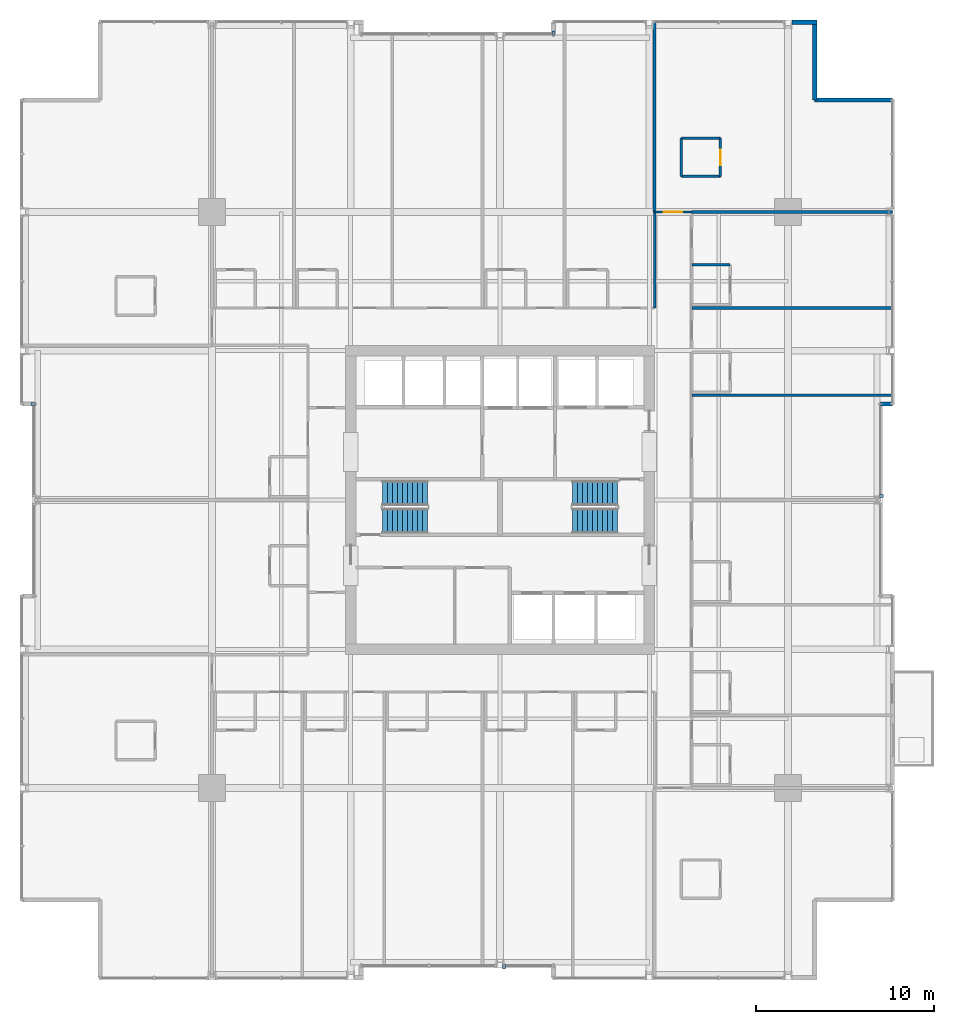
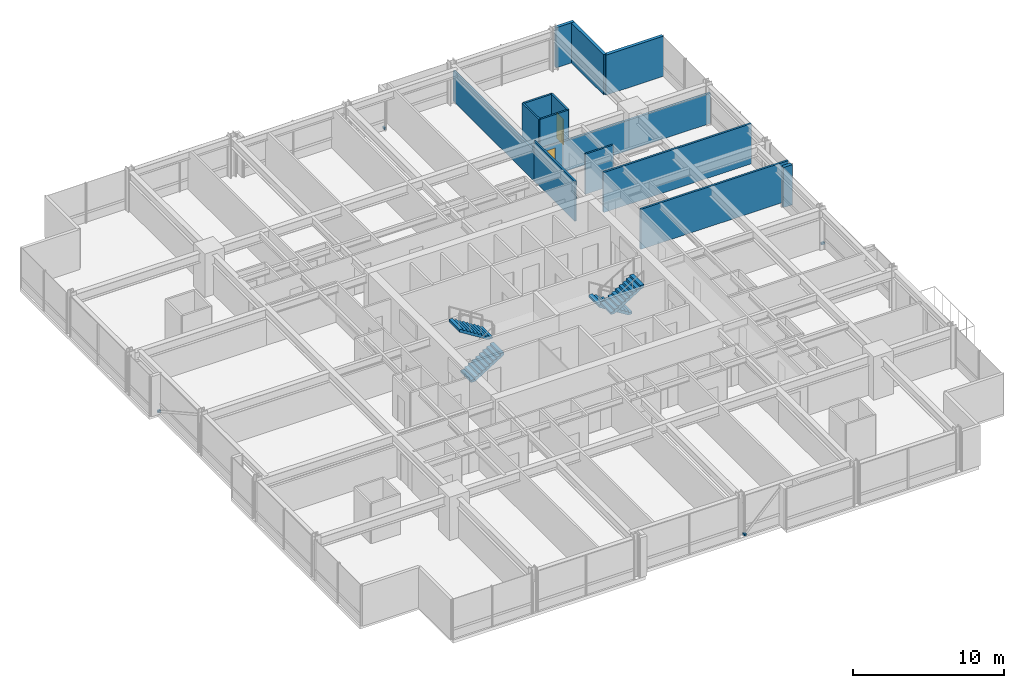
# One storey, part 32 of 35: 15 walls, 4 discrete accessories, 4 stair flights, 2 doors, 2 openings, 2 elements without a shape of their own.
"""IFC4 building model written with IfcOpenShell, lengths in metres."""

from ifc_helpers import new_model, si_unit, direction, frame, frame_2d, origin, origin_2d, place, context, subcontext, project, spatial, polyline, rectangle, outline, extrude, material, layer, layer_set, type_object, element, fill, aggregate, save


model = new_model("IFC4")

# Units and contexts
model_context = context("Model", 3, precision=1e-05, world=origin(), true_north=direction((0.0, 1.0)))
body_context = subcontext(model_context, "Body", "Model", "MODEL_VIEW")
ifc_project = project(units=[si_unit("LENGTHUNIT", "METRE"), si_unit("AREAUNIT", "SQUARE_METRE"), si_unit("VOLUMEUNIT", "CUBIC_METRE"), si_unit("PLANEANGLEUNIT", "RADIAN"), si_unit("MASSUNIT", "GRAM", prefix="KILO")], contexts=[model_context])

# Site, building, storey
site_placement = place(None, origin())
site = spatial("IfcSite", under=ifc_project, at=site_placement, CompositionType="ELEMENT")
building_placement = place(site_placement, origin())
building = spatial("IfcBuilding", under=site, at=building_placement, Name="Drelvath Grand Hotel", CompositionType="ELEMENT")
storey_placement = place(building_placement, frame((0.0, 0.0, 95.300048828125)))
storey = spatial("IfcBuildingStorey", under=building, at=storey_placement, Name="L23", CompositionType="ELEMENT", Elevation=95.300048828125)

# Wall
ifc_material_1 = material(Name="Gypsum Fireboard Partition")
ifc_layer_1 = layer(ifc_material_1, 0.135009765625)
ifc_layer_set_1 = layer_set([ifc_layer_1], Name="Gypsum Fireboard Partition")
wall_type_1 = type_object("IfcWallType", Name="Corridor Fire Barrier Wall 135", PredefinedType="PARTITIONING", material=ifc_layer_set_1)
wall_1_placement = place(storey_placement, frame((8.699951171875, 37.800048828125, 0.0), z_axis=(0.0, 0.0, 1.0), x_axis=(0.0, 1.0, 0.0)))
element("IfcWall", 1, at=wall_1_placement, inside=storey, type_object=wall_type_1, Name="L23 East Spine North Inner Wall", PredefinedType="PARTITIONING", context=body_context, shape_type="SweptSolid", body=[
    extrude(rectangle(XDim=5.39990234375, YDim=0.135009765625, at=frame_2d((2.699951171875, 0.0))), origin(), (0.0, 0.0, 1.0), 3.239990234375),
])

# Wall, opening, door
wall_2_placement = place(storey_placement, frame((8.699951171875, 43.199951171875, 0.0), z_axis=(0.0, 0.0, 1.0), x_axis=(1.0, 0.0, 0.0)))
wall_2 = element("IfcWall", 2, at=wall_2_placement, inside=storey, type_object=wall_type_1, Name="L23 East Spine North End", PredefinedType="PARTITIONING", context=body_context, shape_type="SweptSolid", body=[
    extrude(rectangle(XDim=2.10009765625, YDim=0.135009765625, at=frame_2d((1.050048828125, 0.0))), origin(), (0.0, 0.0, 1.0), 2.45166015625),
])
opening_1_placement = place(wall_2_placement, frame((0.52001953125, 0.0, 0.0)))
opening_1 = element("IfcOpeningElement", 3, at=opening_1_placement, cuts=wall_2, Name="Opening D-T2G1-026", PredefinedType="OPENING", context=body_context, shape_type="SweptSolid", body=[
    extrude(rectangle(XDim=1.02001953125, YDim=2.14990234375, at=frame_2d((0.510009765625, 1.074951171875))), frame((0.0, 0.077392578125, 0.0), z_axis=(0.0, -1.0, 0.0), x_axis=(1.0, 0.0, 0.0)), (0.0, 0.0, 1.0), 0.155029296875),
])
ifc_material_2 = material(Name="Hardwood Walnut Timber", Category="wood")
door_type_1 = type_object("IfcDoorType", Name="Amenity Meeting Fire Door 1020x2150", OperationType="NOTDEFINED", PredefinedType="DOOR", material=ifc_material_2)
door_1_placement = place(opening_1_placement, origin())
door_1 = element("IfcDoor", 4, at=door_1_placement, inside=storey, type_object=door_type_1, Name="L23 Corner Suite Entry Door", OperationType="SINGLE_SWING_LEFT", OverallHeight=2.14990234375, OverallWidth=1.02001953125, PredefinedType="DOOR", context=body_context, shape_type="SweptSolid", body=[
    extrude(rectangle(XDim=1.02001953125, YDim=2.14990234375, at=frame_2d((0.510009765625, 1.074951171875))), frame((0.0, 0.02490234375, 0.0), z_axis=(0.0, -1.0, 0.0), x_axis=(1.0, 0.0, 0.0)), (0.0, 0.0, 1.0), 0.050048828125),
])
fill(opening_1, door_1)

# Walls
ifc_material_3 = material(Name="Moisture-Resistant Gypsum Board")
ifc_layer_2 = layer(ifc_material_3, 0.139892578125)
ifc_layer_set_2 = layer_set([ifc_layer_2], Name="Moisture-Resistant Gypsum Board")
wall_type_2 = type_object("IfcWallType", Name="En-Suite Plumbing Wall 140", PredefinedType="PLUMBINGWALL", material=ifc_layer_set_2)
for number, where, z_axis, x_axis, name in (
    (5, (10.199951171875, 45.199951171875, 0.0), (0.0, 0.0, 1.0), (1.0, 0.0, 0.0), "L23 Corner En-Suite South"),
    (6, (10.199951171875, 47.35009765625, 0.0), (0.0, 0.0, 1.0), (1.0, 0.0, 0.0), "L23 Corner En-Suite North"),
):
    element("IfcWall", number, at=place(storey_placement, frame(where, z_axis=z_axis, x_axis=x_axis)), inside=storey, type_object=wall_type_2, Name=name, PredefinedType="PLUMBINGWALL", context=body_context, shape_type="SweptSolid", body=[
        extrude(rectangle(XDim=2.199951171875, YDim=0.139892578125, at=frame_2d((1.10009765625, 0.0))), origin(), (0.0, 0.0, 1.0), 3.239990234375),
    ])
wall_3_placement = place(storey_placement, frame((10.199951171875, 45.199951171875, 0.0), z_axis=(0.0, 0.0, 1.0), x_axis=(0.0, 1.0, 0.0)))
element("IfcWall", 7, at=wall_3_placement, inside=storey, type_object=wall_type_2, Name="L23 Corner En-Suite West", PredefinedType="PLUMBINGWALL", context=body_context, shape_type="SweptSolid", body=[
    extrude(rectangle(XDim=2.150146484375, YDim=0.139892578125, at=frame_2d((1.0751953125, 0.0))), origin(), (0.0, 0.0, 1.0), 3.239990234375),
])

# Wall, opening, door
wall_4_placement = place(storey_placement, frame((12.39990234375, 45.199951171875, 0.0), z_axis=(0.0, 0.0, 1.0), x_axis=(0.0, 1.0, 0.0)))
wall_4 = element("IfcWall", 8, at=wall_4_placement, inside=storey, type_object=wall_type_2, Name="L23 Corner En-Suite East", PredefinedType="PLUMBINGWALL", context=body_context, shape_type="SweptSolid", body=[
    extrude(rectangle(XDim=2.150146484375, YDim=0.139892578125, at=frame_2d((1.0751953125, 0.0))), origin(), (0.0, 0.0, 1.0), 3.239990234375),
])
opening_2_placement = place(wall_4_placement, frame((0.6201171875, 0.0, 0.0)))
opening_2 = element("IfcOpeningElement", 9, at=opening_2_placement, cuts=wall_4, Name="Opening D-T2G1-025", PredefinedType="OPENING", context=body_context, shape_type="SweptSolid", body=[
    extrude(rectangle(XDim=0.8798828125, YDim=2.10009765625, at=frame_2d((0.43994140625, 1.050048828125))), frame((0.0, 0.079833984375, 0.0), z_axis=(0.0, -1.0, 0.0), x_axis=(1.0, 0.0, 0.0)), (0.0, 0.0, 1.0), 0.159912109375),
])
door_type_2 = type_object("IfcDoorType", Name="En-Suite Bathroom Door 880x2100", OperationType="NOTDEFINED", PredefinedType="DOOR", material=ifc_material_2)
door_2_placement = place(opening_2_placement, origin())
door_2 = element("IfcDoor", 10, at=door_2_placement, inside=storey, type_object=door_type_2, Name="L23 Corner En-Suite Door", OperationType="SINGLE_SWING_RIGHT", OverallHeight=2.10009765625, OverallWidth=0.8798828125, PredefinedType="DOOR", context=body_context, shape_type="SweptSolid", body=[
    extrude(rectangle(XDim=0.8798828125, YDim=2.10009765625, at=frame_2d((0.43994140625, 1.050048828125))), frame((0.0, 0.02490234375, 0.0), z_axis=(0.0, -1.0, 0.0), x_axis=(1.0, 0.0, 0.0)), (0.0, 0.0, 1.0), 0.050048828125),
])
fill(opening_2, door_2)

# Walls
wall_5_placement = place(storey_placement, frame((10.800048828125, 40.22998046875, 0.0), z_axis=(0.0, 0.0, 1.0), x_axis=(1.0, 0.0, 0.0)))
element("IfcWall", 11, at=wall_5_placement, inside=storey, type_object=wall_type_2, Name="L23 En-Suite Right Wall", PredefinedType="PLUMBINGWALL", context=body_context, shape_type="SweptSolid", body=[
    extrude(rectangle(XDim=2.14990234375, YDim=0.139892578125, at=frame_2d((1.074951171875, 0.0))), origin(), (0.0, 0.0, 1.0), 3.239990234375),
])
ifc_material_4 = material(Name="Gypsum Acoustic Partition")
ifc_layer_3 = layer(ifc_material_4, 0.14990234375)
ifc_layer_set_3 = layer_set([ifc_layer_3], Name="Gypsum Acoustic Partition")
wall_type_3 = type_object("IfcWallType", Name="Guestroom Demising Wall 150", PredefinedType="PARTITIONING", material=ifc_layer_set_3)
for number, where, z_axis, x_axis, name in (
    (12, (10.800048828125, 32.890869140625, 0.0), (0.0, 0.0, 1.0), (1.0, 0.0, 0.0), "L23 East Demising 4"),
    (13, (10.800048828125, 37.800048828125, 0.0), (0.0, 0.0, 1.0), (1.0, 0.0, 0.0), "L23 East Demising 5"),
):
    element("IfcWall", number, at=place(storey_placement, frame(where, z_axis=z_axis, x_axis=x_axis)), inside=storey, type_object=wall_type_3, Name=name, PredefinedType="PARTITIONING", context=body_context, shape_type="SweptSolid", body=[
        extrude(rectangle(XDim=11.280029296875, YDim=0.14990234375, at=frame_2d((5.64013671875, 0.0))), origin(), (0.0, 0.0, 1.0), 3.239990234375),
    ])
ifc_layer_4 = layer(ifc_material_4, 0.1650390625)
ifc_layer_set_4 = layer_set([ifc_layer_4], Name="Gypsum Acoustic Partition")
wall_type_4 = type_object("IfcWallType", Name="Suite Demising Wall 165", PredefinedType="PARTITIONING", material=ifc_layer_set_4)
wall_6_placement = place(storey_placement, frame((8.699951171875, 43.199951171875, 0.0), z_axis=(0.0, 0.0, 1.0), x_axis=(0.0, 1.0, 0.0)))
element("IfcWall", 14, at=wall_6_placement, inside=storey, type_object=wall_type_4, Name="L23 NE Suite West Wall", PredefinedType="PARTITIONING", context=body_context, shape_type="SweptSolid", body=[
    extrude(rectangle(XDim=10.679931640625, YDim=0.1650390625, at=frame_2d((5.33984375, 0.0))), origin(), (0.0, 0.0, 1.0), 2.45166015625),
])
wall_7_placement = place(storey_placement, frame((10.800048828125, 43.199951171875, 0.0), z_axis=(0.0, 0.0, 1.0), x_axis=(1.0, 0.0, 0.0)))
element("IfcWall", 15, at=wall_7_placement, inside=storey, type_object=wall_type_4, Name="L23 NE Suite South Wall", PredefinedType="PARTITIONING", context=body_context, shape_type="SweptSolid", body=[
    extrude(rectangle(XDim=11.280029296875, YDim=0.1650390625, at=frame_2d((5.64013671875, 0.0))), origin(), (0.0, 0.0, 1.0), 2.45166015625),
])
ifc_material_5 = material(Name="Pale-Metal Insulated Aluminium Spandrel Assembly", Category="aluminium")
ifc_layer_5 = layer(ifc_material_5, 0.239990234375)
ifc_layer_set_5 = layer_set([ifc_layer_5], Name="Pale-Metal Insulated Aluminium Spandrel Assembly")
wall_type_5 = type_object("IfcWallType", Name="Tower Insulated Metal Spandrel Closure Wall 240", PredefinedType="STANDARD", material=ifc_layer_set_5)
wall_8_placement = place(storey_placement, frame((16.419677734375, 53.8798828125, 0.0), z_axis=(0.0, 0.0, 1.0), x_axis=(1.0, 0.0, 0.0)))
element("IfcWall", 16, at=wall_8_placement, inside=storey, type_object=wall_type_5, Name="L23 Corner Pier Spandrel Wall NE3", PredefinedType="STANDARD", context=body_context, shape_type="SweptSolid", body=[
    extrude(rectangle(XDim=1.400390625, YDim=0.239990234375, at=frame_2d((0.7001953125, 0.0))), origin(), (0.0, 0.0, 1.0), 3.239990234375),
])
wall_9_placement = place(storey_placement, frame((17.699951171875, 53.760009765625, 0.0), z_axis=(0.0, 0.0, 1.0), x_axis=(0.0, -1.0, 0.0)))
element("IfcWall", 17, at=wall_9_placement, inside=storey, type_object=wall_type_5, Name="L23 Notched Corner Return Spandrel Wall CNE1", PredefinedType="STANDARD", context=body_context, shape_type="SweptSolid", body=[
    extrude(rectangle(XDim=4.260009765625, YDim=0.239990234375, at=frame_2d((2.1298828125, 0.0))), origin(), (0.0, 0.0, 1.0), 3.239990234375),
])
wall_10_placement = place(storey_placement, frame((17.699951171875, 49.5, 0.0), z_axis=(0.0, 0.0, 1.0), x_axis=(1.0, 0.0, 0.0)))
element("IfcWall", 18, at=wall_10_placement, inside=storey, type_object=wall_type_5, Name="L23 Notched Corner Return Spandrel Wall CNE2", PredefinedType="STANDARD", context=body_context, shape_type="SweptSolid", body=[
    extrude(rectangle(XDim=4.380126953125, YDim=0.239990234375, at=frame_2d((2.18994140625, 0.0))), origin(), (0.0, 0.0, 1.0), 3.239990234375),
])
wall_11_placement = place(storey_placement, frame((22.080078125, 32.39990234375, 0.0), z_axis=(0.0, 0.0, 1.0), x_axis=(-1.0, 0.0, 0.0)))
element("IfcWall", 19, at=wall_11_placement, inside=storey, type_object=wall_type_5, Name="L23 Notched Corner Return Spandrel Wall RE1", PredefinedType="STANDARD", context=body_context, shape_type="SweptSolid", body=[
    extrude(rectangle(XDim=0.68017578125, YDim=0.239990234375, at=frame_2d((0.340087890625, 0.0))), origin(), (0.0, 0.0, 1.0), 3.239990234375),
])

# Stair, stair flights
ifc_material_6 = material(Name="Concrete C40/50", Category="concrete")
stair_type = type_object("IfcStairType", Name="Dogleg Exit Stair W1400-R175.0", PredefinedType="HALF_TURN_STAIR", material=ifc_material_6)
stair_1_placement = place(storey_placement, origin())
stair_1 = element("IfcStair", 20, at=stair_1_placement, inside=storey, type_object=stair_type, Name="L23 Core Exit Stair ST-1", PredefinedType="HALF_TURN_STAIR")
stair_flight_type = type_object("IfcStairFlightType", Name="Concrete Stair Flight W1400-R175.0", PredefinedType="STRAIGHT", material=ifc_material_6)
stair_flight_1_placement = place(storey_placement, frame((-6.60009765625, 25.820068359375, 0.0), z_axis=(0.0, 0.0, 1.0), x_axis=(1.0, 0.0, 0.0)))
stair_flight_1 = element("IfcStairFlight", 21, at=stair_flight_1_placement, type_object=stair_flight_type, Name="ST-1 flight 1", NumberOfRisers=10, NumberOfTreads=9, PredefinedType="STRAIGHT", RiserHeight=0.175, TreadLength=0.28, context=body_context, shape_type="SweptSolid", body=[
    extrude(outline(polyline([(0.0, 0.0), (0.0, 0.175048828125), (0.280029296875, 0.175048828125), (0.280029296875, 0.35009765625), (0.56005859375, 0.35009765625), (0.56005859375, 0.52490234375), (0.840087890625, 0.52490234375), (0.840087890625, 0.699951171875), (1.1201171875, 0.699951171875), (1.1201171875, 0.875), (1.39990234375, 0.875), (1.39990234375, 1.050048828125), (1.679931640625, 1.050048828125), (1.679931640625, 1.22509765625), (1.9599609375, 1.22509765625), (1.9599609375, 1.39990234375), (2.239990234375, 1.39990234375), (2.239990234375, 1.574951171875), (2.52001953125, 1.574951171875), (2.52001953125, 1.75), (2.52001953125, 1.386474609375), (0.3017578125, 0.0), (0.0, 0.0)])), frame((0.0, 0.699951171875, 0.0), z_axis=(0.0, -1.0, 0.0), x_axis=(1.0, 0.0, 0.0)), (0.0, 0.0, 1.0), 1.39990234375),
])
stair_flight_2_placement = place(storey_placement, frame((-4.080078125, 27.3798828125, 1.75), z_axis=(0.0, 0.0, 1.0), x_axis=(-1.0, 0.0, 0.0)))
stair_flight_2 = element("IfcStairFlight", 22, at=stair_flight_2_placement, type_object=stair_flight_type, Name="ST-1 flight 2", NumberOfRisers=10, NumberOfTreads=9, PredefinedType="STRAIGHT", RiserHeight=0.175, TreadLength=0.28, context=body_context, shape_type="SweptSolid", body=[
    extrude(outline(polyline([(0.0, 0.0), (0.0, 0.175048828125), (0.280029296875, 0.175048828125), (0.280029296875, 0.35009765625), (0.56005859375, 0.35009765625), (0.56005859375, 0.52490234375), (0.840087890625, 0.52490234375), (0.840087890625, 0.699951171875), (1.1201171875, 0.699951171875), (1.1201171875, 0.875), (1.39990234375, 0.875), (1.39990234375, 1.050048828125), (1.679931640625, 1.050048828125), (1.679931640625, 1.22509765625), (1.9599609375, 1.22509765625), (1.9599609375, 1.39990234375), (2.239990234375, 1.39990234375), (2.239990234375, 1.574951171875), (2.52001953125, 1.574951171875), (2.52001953125, 1.75), (2.52001953125, 1.386474609375), (0.3017578125, 0.0), (0.0, 0.0)])), frame((0.0, 0.699951171875, 0.0), z_axis=(0.0, -1.0, 0.0), x_axis=(1.0, 0.0, 0.0)), (0.0, 0.0, 1.0), 1.39990234375),
])
aggregate(stair_1, [stair_flight_1, stair_flight_2])

stair_2_placement = place(storey_placement, origin())
stair_2 = element("IfcStair", 23, at=stair_2_placement, inside=storey, type_object=stair_type, Name="L23 Core Exit Stair ST-2", PredefinedType="HALF_TURN_STAIR")
stair_flight_3_placement = place(storey_placement, frame((6.60009765625, 27.3798828125, 0.0), z_axis=(0.0, 0.0, 1.0), x_axis=(-1.0, 0.0, 0.0)))
stair_flight_3 = element("IfcStairFlight", 24, at=stair_flight_3_placement, type_object=stair_flight_type, Name="ST-2 flight 1", NumberOfRisers=10, NumberOfTreads=9, PredefinedType="STRAIGHT", RiserHeight=0.175, TreadLength=0.28, context=body_context, shape_type="SweptSolid", body=[
    extrude(outline(polyline([(0.0, 0.0), (0.0, 0.175048828125), (0.280029296875, 0.175048828125), (0.280029296875, 0.35009765625), (0.56005859375, 0.35009765625), (0.56005859375, 0.52490234375), (0.840087890625, 0.52490234375), (0.840087890625, 0.699951171875), (1.1201171875, 0.699951171875), (1.1201171875, 0.875), (1.39990234375, 0.875), (1.39990234375, 1.050048828125), (1.679931640625, 1.050048828125), (1.679931640625, 1.22509765625), (1.9599609375, 1.22509765625), (1.9599609375, 1.39990234375), (2.239990234375, 1.39990234375), (2.239990234375, 1.574951171875), (2.52001953125, 1.574951171875), (2.52001953125, 1.75), (2.52001953125, 1.386474609375), (0.3017578125, 0.0), (0.0, 0.0)])), frame((0.0, 0.699951171875, 0.0), z_axis=(0.0, -1.0, 0.0), x_axis=(1.0, 0.0, 0.0)), (0.0, 0.0, 1.0), 1.39990234375),
])
stair_flight_4_placement = place(storey_placement, frame((4.080078125, 25.820068359375, 1.75), z_axis=(0.0, 0.0, 1.0), x_axis=(1.0, 0.0, 0.0)))
stair_flight_4 = element("IfcStairFlight", 25, at=stair_flight_4_placement, type_object=stair_flight_type, Name="ST-2 flight 2", NumberOfRisers=10, NumberOfTreads=9, PredefinedType="STRAIGHT", RiserHeight=0.175, TreadLength=0.28, context=body_context, shape_type="SweptSolid", body=[
    extrude(outline(polyline([(0.0, 0.0), (0.0, 0.175048828125), (0.280029296875, 0.175048828125), (0.280029296875, 0.35009765625), (0.56005859375, 0.35009765625), (0.56005859375, 0.52490234375), (0.840087890625, 0.52490234375), (0.840087890625, 0.699951171875), (1.1201171875, 0.699951171875), (1.1201171875, 0.875), (1.39990234375, 0.875), (1.39990234375, 1.050048828125), (1.679931640625, 1.050048828125), (1.679931640625, 1.22509765625), (1.9599609375, 1.22509765625), (1.9599609375, 1.39990234375), (2.239990234375, 1.39990234375), (2.239990234375, 1.574951171875), (2.52001953125, 1.574951171875), (2.52001953125, 1.75), (2.52001953125, 1.386474609375), (0.3017578125, 0.0), (0.0, 0.0)])), frame((0.0, 0.699951171875, 0.0), z_axis=(0.0, -1.0, 0.0), x_axis=(1.0, 0.0, 0.0)), (0.0, 0.0, 1.0), 1.39990234375),
])
aggregate(stair_2, [stair_flight_3, stair_flight_4])

# Discrete accessories
ifc_material_7 = material(Name="Stainless Steel Grade 316", Category="steel")
discrete_accessory_type = type_object("IfcDiscreteAccessoryType", Name="Curtain Wall Fin Mounting Bracket Cleat", PredefinedType="BRACKET", material=ifc_material_7)
for number, where, z_axis, x_axis, name in (
    (26, (-26.260009765625, 32.39990234375, 0.10009765625), (0.0, 0.0, 1.0), (0.0, 1.0, 0.0), "L23 Fin Mounting Bracket CW03-L23-WM2-1"),
    (27, (21.4599609375, 27.219482421875, 0.10009765625), (0.0, 0.0, 1.0), (0.0, -1.0, 0.0), "L23 Fin Mounting Bracket CW03-L23-EM2-1"),
    (28, (3.0, 53.260009765625, 0.10009765625), (0.0, 0.0, 1.0), (1.0, 0.0, 0.0), "L23 Fin Mounting Bracket CW03-L23-NM2-1"),
    (29, (0.219482421875, 0.739990234375, 0.10009765625), (0.0, 0.0, 1.0), (-1.0, 0.0, 0.0), "L23 Fin Mounting Bracket CW03-L23-SM2-1"),
):
    element("IfcDiscreteAccessory", number, at=place(storey_placement, frame(where, z_axis=z_axis, x_axis=x_axis)), inside=storey, type_object=discrete_accessory_type, Name=name, PredefinedType="BRACKET", context=body_context, shape_type="SweptSolid", body=[
        extrude(rectangle(XDim=0.159912109375, YDim=0.239990234375, at=origin_2d()), origin(), (0.0, 0.0, 1.0), 0.159912109375),
    ])

save(model, "model.ifc")
